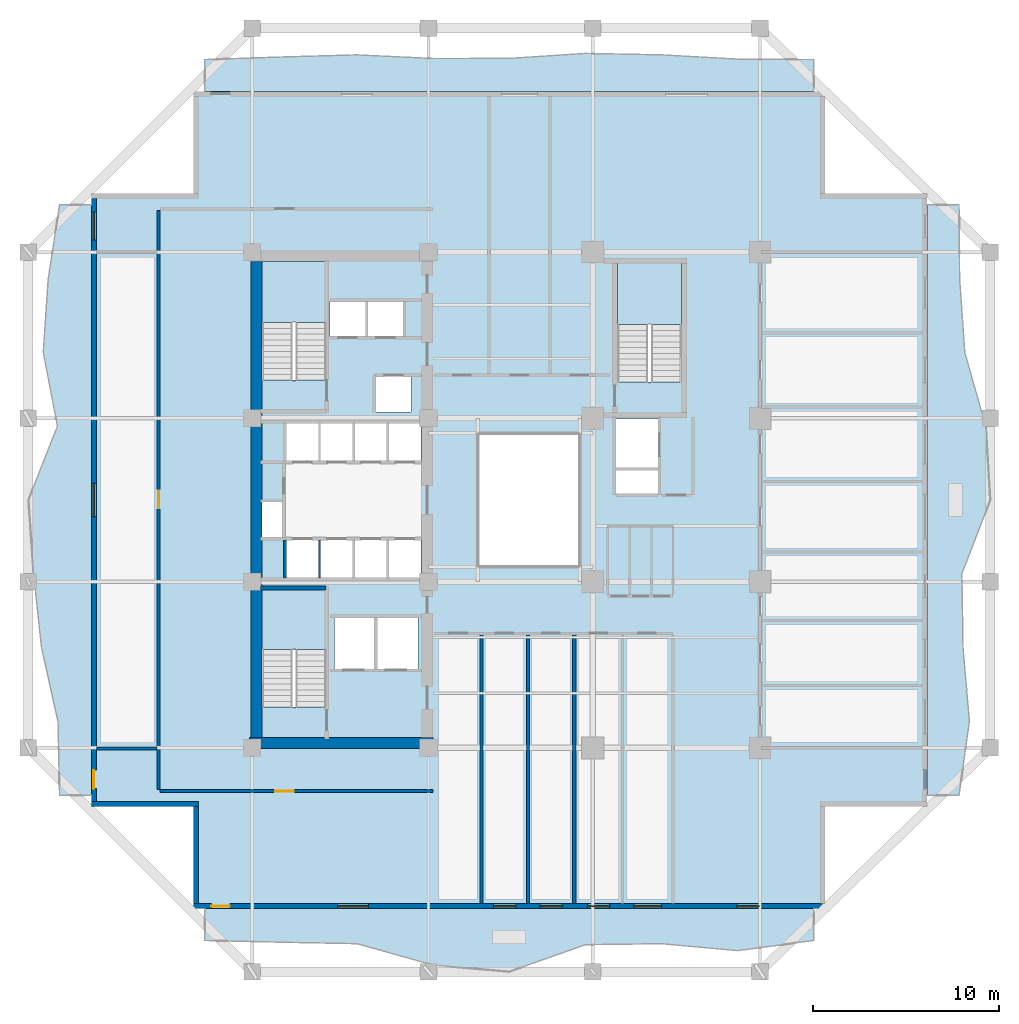
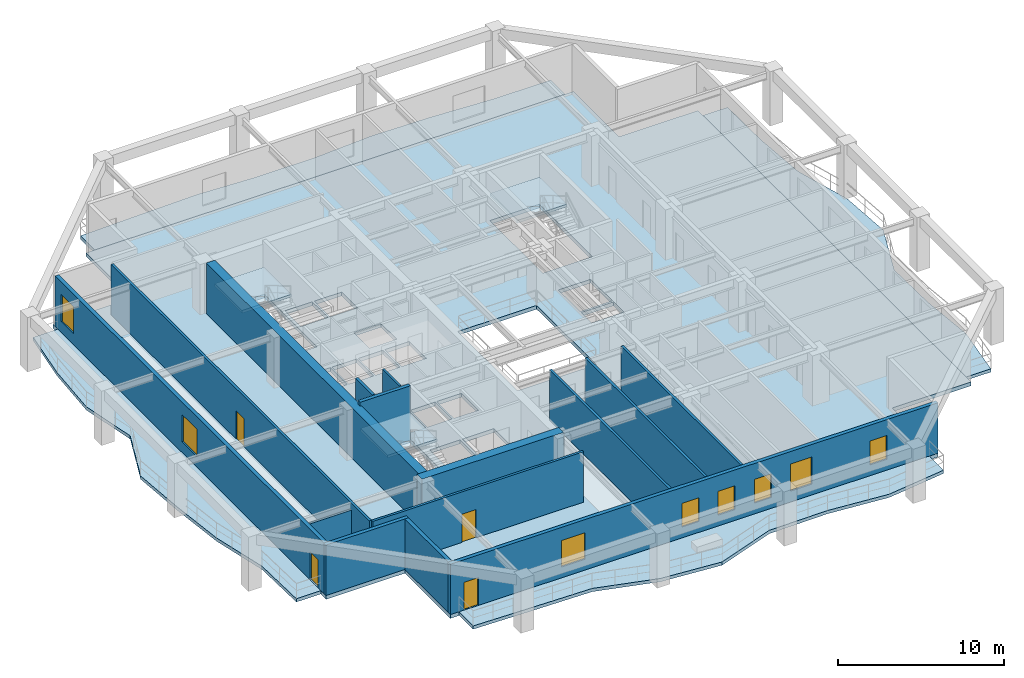
# One storey, part 2 of 13: 15 walls, 8 slabs, 8 windows, 4 doors, 12 openings, 3 elements without a shape of their own.
"""IFC4 building model written with IfcOpenShell, lengths in metres."""

from ifc_helpers import new_model, si_unit, direction, frame, frame_2d, origin, place, context, subcontext, project, spatial, polyline, rectangle, outline, extrude, material, layer, layer_set, type_object, element, fill, aggregate, save


model = new_model("IFC4")

# Units and contexts
model_context = context("Model", 3, precision=1e-05, world=origin(), true_north=direction((0.0, 1.0)))
body_context = subcontext(model_context, "Body", "Model", "MODEL_VIEW")
ifc_project = project(units=[si_unit("LENGTHUNIT", "METRE"), si_unit("AREAUNIT", "SQUARE_METRE"), si_unit("VOLUMEUNIT", "CUBIC_METRE"), si_unit("PLANEANGLEUNIT", "RADIAN"), si_unit("MASSUNIT", "GRAM", prefix="KILO")], contexts=[model_context])

# Site, building, storey
site_placement = place(None, origin())
site = spatial("IfcSite", under=ifc_project, at=site_placement, CompositionType="ELEMENT")
building_placement = place(site_placement, origin())
building = spatial("IfcBuilding", under=site, at=building_placement, Name="Kundavana Baori Tower", CompositionType="ELEMENT")
storey_placement = place(building_placement, frame((0.0, 0.0, 66.0)))
storey = spatial("IfcBuildingStorey", under=building, at=storey_placement, Name="L15", CompositionType="ELEMENT", Elevation=66.0)

# Slab
ifc_material_1 = material(Name="Concrete C40/50", Category="concrete")
ifc_layer_1 = layer(ifc_material_1, 0.280029296875, Name="SLB-FLR-280")
ifc_layer_set_1 = layer_set([ifc_layer_1], Name="Concrete C40/50")
slab_type_1 = type_object("IfcSlabType", Name="SLB-FLR-280", PredefinedType="FLOOR", material=ifc_layer_set_1)
slab_1_placement = place(storey_placement, frame((0.0, 0.0, -0.280029296875)))
element("IfcSlab", 1, at=slab_1_placement, inside=storey, type_object=slab_type_1, Name="L15 Structural Floor Slab", PredefinedType="FLOOR", context=body_context, shape_type="SweptSolid", body=[
    extrude(outline(polyline([(12.300048828125, 6.60009765625), (46.300048828125, 6.60009765625), (46.300048828125, 12.10009765625), (51.800048828125, 12.10009765625), (51.800048828125, 45.10009765625), (46.300048828125, 45.10009765625), (46.300048828125, 50.60009765625), (12.300048828125, 50.60009765625), (12.300048828125, 45.10009765625), (6.800048828125, 45.10009765625), (6.800048828125, 12.10009765625), (12.300048828125, 12.10009765625), (12.300048828125, 6.60009765625)]), holes=[polyline([(19.43994140625, 17.4619140625), (19.43994140625, 23.85009765625), (15.97998046875, 23.85009765625), (15.97998046875, 17.4619140625), (19.43994140625, 17.4619140625)]), polyline([(19.43994140625, 35.06201171875), (19.43994140625, 41.449951171875), (15.97998046875, 41.449951171875), (15.97998046875, 35.06201171875), (19.43994140625, 35.06201171875)]), polyline([(38.580078125, 34.9619140625), (38.580078125, 41.35009765625), (35.1201171875, 41.35009765625), (35.1201171875, 34.9619140625), (38.580078125, 34.9619140625)]), polyline([(17.300048828125, 24.39990234375), (19.02001953125, 24.39990234375), (19.02001953125, 26.449951171875), (17.300048828125, 26.449951171875), (17.300048828125, 24.39990234375)]), polyline([(19.139892578125, 24.39990234375), (20.860107421875, 24.39990234375), (20.860107421875, 26.449951171875), (19.139892578125, 26.449951171875), (19.139892578125, 24.39990234375)]), polyline([(20.97998046875, 24.39990234375), (22.699951171875, 24.39990234375), (22.699951171875, 26.449951171875), (20.97998046875, 26.449951171875), (20.97998046875, 24.39990234375)]), polyline([(22.820068359375, 24.39990234375), (24.5400390625, 24.39990234375), (24.5400390625, 26.449951171875), (22.820068359375, 26.449951171875), (22.820068359375, 24.39990234375)]), polyline([(17.300048828125, 30.699951171875), (19.02001953125, 30.699951171875), (19.02001953125, 32.75), (17.300048828125, 32.75), (17.300048828125, 30.699951171875)]), polyline([(19.139892578125, 30.699951171875), (20.860107421875, 30.699951171875), (20.860107421875, 32.75), (19.139892578125, 32.75), (19.139892578125, 30.699951171875)]), polyline([(20.97998046875, 30.699951171875), (22.699951171875, 30.699951171875), (22.699951171875, 32.75), (20.97998046875, 32.75), (20.97998046875, 30.699951171875)]), polyline([(22.820068359375, 30.699951171875), (24.5400390625, 30.699951171875), (24.5400390625, 32.75), (22.820068359375, 32.75), (22.820068359375, 30.699951171875)]), polyline([(19.64990234375, 37.39990234375), (21.550048828125, 37.39990234375), (21.550048828125, 39.300048828125), (19.64990234375, 39.300048828125), (19.64990234375, 37.39990234375)]), polyline([(21.699951171875, 37.39990234375), (23.60009765625, 37.39990234375), (23.60009765625, 39.300048828125), (21.699951171875, 39.300048828125), (21.699951171875, 37.39990234375)]), polyline([(22.10009765625, 33.35009765625), (24.0, 33.35009765625), (24.0, 35.25), (22.10009765625, 35.25), (22.10009765625, 33.35009765625)]), polyline([(19.8798828125, 19.5), (22.02001953125, 19.5), (22.02001953125, 22.25), (19.8798828125, 22.25), (19.8798828125, 19.5)]), polyline([(22.179931640625, 19.5), (24.3798828125, 19.5), (24.3798828125, 22.25), (22.179931640625, 22.25), (22.179931640625, 19.5)]), polyline([(35.050048828125, 30.35009765625), (37.300048828125, 30.35009765625), (37.300048828125, 32.949951171875), (35.050048828125, 32.949951171875), (35.050048828125, 30.35009765625)]), polyline([(15.949951171875, 26.60009765625), (17.080078125, 26.60009765625), (17.080078125, 28.5), (15.949951171875, 28.5), (15.949951171875, 26.60009765625)]), polyline([(35.050048828125, 28.949951171875), (37.300048828125, 28.949951171875), (37.300048828125, 30.199951171875), (35.050048828125, 30.199951171875), (35.050048828125, 28.949951171875)]), polyline([(27.60009765625, 25.0), (33.10009765625, 25.0), (33.10009765625, 32.199951171875), (27.60009765625, 32.199951171875), (27.60009765625, 25.0)])]), origin(), (0.0, 0.0, 1.0), 0.280029296875),
])

# Stair, slab
ifc_material_2 = material(Name="Concrete C40/50", Category="concrete")
stair_type = type_object("IfcStairType", Name="STR-DOG-1650", PredefinedType="HALF_TURN_STAIR", material=ifc_material_2)
stair_1_placement = place(storey_placement, origin())
stair_1 = element("IfcStair", 2, at=stair_1_placement, inside=storey, type_object=stair_type, Name="L15 Protected Exit Stair ST1", PredefinedType="HALF_TURN_STAIR")
ifc_material_3 = material(Name="Concrete C40/50", Category="concrete")
ifc_layer_2 = layer(ifc_material_3, 0.199951171875, Name="SLB-LND-200")
ifc_layer_set_2 = layer_set([ifc_layer_2], Name="Concrete C40/50")
slab_type_2 = type_object("IfcSlabType", Name="SLB-LND-200", PredefinedType="LANDING", material=ifc_layer_set_2)
slab_2_placement = place(storey_placement, frame((0.0, 0.0, 1.800048828125)))
slab_2 = element("IfcSlab", 3, at=slab_2_placement, type_object=slab_type_2, Name="ST1 landing 1", PredefinedType="LANDING", context=body_context, shape_type="SweptSolid", body=[
    extrude(outline(polyline([(19.43994140625, 20.550048828125), (19.43994140625, 23.85009765625), (15.97998046875, 23.85009765625), (15.97998046875, 20.550048828125), (19.43994140625, 20.550048828125)])), origin(), (0.0, 0.0, 1.0), 0.199951171875),
])
aggregate(stair_1, [slab_2])

stair_2_placement = place(storey_placement, origin())
stair_2 = element("IfcStair", 4, at=stair_2_placement, inside=storey, type_object=stair_type, Name="L15 Protected Exit Stair ST2", PredefinedType="HALF_TURN_STAIR")
slab_3_placement = place(storey_placement, frame((0.0, 0.0, 1.800048828125)))
slab_3 = element("IfcSlab", 5, at=slab_3_placement, type_object=slab_type_2, Name="ST2 landing 1", PredefinedType="LANDING", context=body_context, shape_type="SweptSolid", body=[
    extrude(outline(polyline([(19.43994140625, 38.14990234375), (19.43994140625, 41.449951171875), (15.97998046875, 41.449951171875), (15.97998046875, 38.14990234375), (19.43994140625, 38.14990234375)])), origin(), (0.0, 0.0, 1.0), 0.199951171875),
])
aggregate(stair_2, [slab_3])

stair_3_placement = place(storey_placement, origin())
stair_3 = element("IfcStair", 6, at=stair_3_placement, inside=storey, type_object=stair_type, Name="L15 Protected Exit Stair ST3", PredefinedType="HALF_TURN_STAIR")
slab_4_placement = place(storey_placement, frame((0.0, 0.0, 1.800048828125)))
slab_4 = element("IfcSlab", 7, at=slab_4_placement, type_object=slab_type_2, Name="ST3 landing 1", PredefinedType="LANDING", context=body_context, shape_type="SweptSolid", body=[
    extrude(outline(polyline([(38.580078125, 38.050048828125), (38.580078125, 41.35009765625), (35.1201171875, 41.35009765625), (35.1201171875, 38.050048828125), (38.580078125, 38.050048828125)])), origin(), (0.0, 0.0, 1.0), 0.199951171875),
])
aggregate(stair_3, [slab_4])

# Slabs
ifc_material_4 = material(Name="Concrete C40/50", Category="concrete")
ifc_layer_3 = layer(ifc_material_4, 0.239990234375, Name="SLB-LOG-240")
ifc_layer_set_3 = layer_set([ifc_layer_3], Name="Concrete C40/50")
slab_type_3 = type_object("IfcSlabType", Name="SLB-LOG-240", PredefinedType="FLOOR", material=ifc_layer_set_3)
slab_5_placement = place(storey_placement, frame((0.0, 0.0, -0.239990234375)))
element("IfcSlab", 8, at=slab_5_placement, inside=storey, type_object=slab_type_3, Name="L15 Planted Loggia Balcony Slab S", PredefinedType="FLOOR", context=body_context, shape_type="SweptSolid", body=[
    extrude(outline(polyline([(12.89990234375, 6.60009765625), (45.699951171875, 6.60009765625), (45.699951171875, 4.8798828125), (41.60009765625, 4.3310546875), (37.5, 4.7060546875), (33.39990234375, 4.653076171875), (29.300048828125, 3.199951171875), (25.199951171875, 3.554931640625), (21.10009765625, 4.7060546875), (17.0, 4.785888671875), (12.89990234375, 4.8798828125), (12.89990234375, 6.60009765625)])), origin(), (0.0, 0.0, 1.0), 0.239990234375),
])
slab_6_placement = place(storey_placement, frame((0.0, 0.0, -0.239990234375)))
element("IfcSlab", 9, at=slab_6_placement, inside=storey, type_object=slab_type_3, Name="L15 Planted Loggia Balcony Slab E", PredefinedType="FLOOR", context=body_context, shape_type="SweptSolid", body=[
    extrude(outline(polyline([(51.800048828125, 12.699951171875), (51.800048828125, 44.5), (53.52001953125, 44.5), (53.552001953125, 40.52490234375), (53.830078125, 36.550048828125), (54.958984375, 32.574951171875), (55.199951171875, 28.60009765625), (53.674072265625, 24.625), (53.736083984375, 20.64990234375), (54.0791015625, 16.675048828125), (53.52001953125, 12.699951171875), (51.800048828125, 12.699951171875)])), origin(), (0.0, 0.0, 1.0), 0.239990234375),
])
slab_7_placement = place(storey_placement, frame((0.0, 0.0, -0.239990234375)))
element("IfcSlab", 10, at=slab_7_placement, inside=storey, type_object=slab_type_3, Name="L15 Planted Loggia Balcony Slab N", PredefinedType="FLOOR", context=body_context, shape_type="SweptSolid", body=[
    extrude(outline(polyline([(45.699951171875, 50.60009765625), (12.89990234375, 50.60009765625), (12.89990234375, 52.320068359375), (17.0, 52.45703125), (21.10009765625, 52.572998046875), (25.199951171875, 52.376953125), (29.300048828125, 52.382080078125), (33.39990234375, 52.65087890625), (37.5, 52.572998046875), (41.60009765625, 52.343994140625), (45.699951171875, 52.320068359375), (45.699951171875, 50.60009765625)])), origin(), (0.0, 0.0, 1.0), 0.239990234375),
])
slab_8_placement = place(storey_placement, frame((0.0, 0.0, -0.239990234375)))
element("IfcSlab", 11, at=slab_8_placement, inside=storey, type_object=slab_type_3, Name="L15 Planted Loggia Balcony Slab W", PredefinedType="FLOOR", context=body_context, shape_type="SweptSolid", body=[
    extrude(outline(polyline([(6.800048828125, 44.5), (6.800048828125, 12.699951171875), (5.080078125, 12.699951171875), (4.99609375, 16.675048828125), (4.10791015625, 20.64990234375), (3.681884765625, 24.625), (3.39990234375, 28.60009765625), (4.967041015625, 32.574951171875), (4.201904296875, 36.550048828125), (4.468994140625, 40.52490234375), (5.080078125, 44.5), (6.800048828125, 44.5)])), origin(), (0.0, 0.0, 1.0), 0.239990234375),
])

# Walls
ifc_material_5 = material(Name="Concrete C50/60", Category="concrete")
ifc_layer_4 = layer(ifc_material_5, 0.39990234375, Name="WL-CORE-400")
ifc_layer_set_4 = layer_set([ifc_layer_4], Name="Concrete C50/60")
wall_type_1 = type_object("IfcWallType", Name="WL-CORE-400", PredefinedType="SHEAR", material=ifc_layer_set_4)
wall_1_placement = place(storey_placement, frame((15.89990234375, 23.860107421875, 0.0), z_axis=(0.0, 0.0, 1.0), x_axis=(1.0, 0.0, 0.0)))
element("IfcWall", 12, at=wall_1_placement, inside=storey, type_object=wall_type_1, Name="WL-L15-ST1-N", PredefinedType="SHEAR", context=body_context, shape_type="SweptSolid", body=[
    extrude(rectangle(XDim=3.52001953125, YDim=0.239990234375, at=frame_2d((1.760009765625, 0.0))), origin(), (0.0, 0.0, 1.0), 4.0),
])
ifc_material_6 = material(Name="Concrete C60/75", Category="concrete")
ifc_layer_5 = layer(ifc_material_6, 0.60009765625, Name="WL-CORE-600")
ifc_layer_set_5 = layer_set([ifc_layer_5], Name="Concrete C60/75")
wall_type_2 = type_object("IfcWallType", Name="WL-CORE-600", PredefinedType="SHEAR", material=ifc_layer_set_5)
wall_2_placement = place(storey_placement, frame((15.300048828125, 15.510009765625, 0.0), z_axis=(0.0, 0.0, 1.0), x_axis=(1.0, 0.0, 0.0)))
element("IfcWall", 13, at=wall_2_placement, inside=storey, type_object=wall_type_2, Name="L15 Offset Core South Shear Wall", PredefinedType="SHEAR", context=body_context, shape_type="SweptSolid", body=[
    extrude(rectangle(XDim=9.8798828125, YDim=0.60009765625, at=frame_2d((4.93994140625, 0.0))), origin(), (0.0, 0.0, 1.0), 3.719970703125),
])
wall_3_placement = place(storey_placement, frame((15.68994140625, 15.81005859375, 0.0), z_axis=(0.0, 0.0, 1.0), x_axis=(0.0, 1.0, 0.0)))
element("IfcWall", 14, at=wall_3_placement, inside=storey, type_object=wall_type_2, Name="L15 Offset Core West Shear Wall", PredefinedType="SHEAR", context=body_context, shape_type="SweptSolid", body=[
    extrude(rectangle(XDim=25.6298828125, YDim=0.60009765625, at=frame_2d((12.81494140625, 0.0))), origin(), (0.0, 0.0, 1.0), 3.719970703125),
])

# Wall, openings, door, windows
ifc_material_7 = material(Name="Kiln-Fired Terracotta Brick-Slip Masonry on Concrete C40/50", Category="masonry")
ifc_layer_6 = layer(ifc_material_7, 0.260009765625, Name="WL-EXT-BRK-260")
ifc_layer_set_6 = layer_set([ifc_layer_6], Name="Kiln-Fired Terracotta Brick-Slip Masonry on Concrete C40/50")
wall_type_3 = type_object("IfcWallType", Name="WL-EXT-BRK-260", PredefinedType="SOLIDWALL", material=ifc_layer_set_6)
wall_4_placement = place(storey_placement, frame((12.300048828125, 6.72998046875, 0.0), z_axis=(0.0, 0.0, 1.0), x_axis=(1.0, 0.0, 0.0)))
wall_4 = element("IfcWall", 15, at=wall_4_placement, inside=storey, type_object=wall_type_3, Name="L15 Exterior Insulated Facade Wall 01", PredefinedType="SOLIDWALL", context=body_context, shape_type="SweptSolid", body=[
    extrude(rectangle(XDim=34.0, YDim=0.260009765625, at=frame_2d((17.0, 0.0))), origin(), (0.0, 0.0, 1.0), 3.719970703125),
])
opening_1_placement = place(wall_4_placement, frame((0.949951171875, 0.0, 0.0)))
opening_1 = element("IfcOpeningElement", 16, at=opening_1_placement, cuts=wall_4, Name="Opening BD-1", PredefinedType="OPENING", context=body_context, shape_type="SweptSolid", body=[
    extrude(rectangle(XDim=1.0, YDim=2.050048828125, at=frame_2d((0.5, 1.02490234375))), frame((0.0, 0.14013671875, 0.0), z_axis=(0.0, -1.0, 0.0), x_axis=(1.0, 0.0, 0.0)), (0.0, 0.0, 1.0), 0.280029296875),
])
opening_2_placement = place(wall_4_placement, frame((7.7548828125, 0.0, 0.800048828125)))
opening_2 = element("IfcOpeningElement", 17, at=opening_2_placement, cuts=wall_4, Name="Opening W-08", PredefinedType="OPENING", context=body_context, shape_type="SweptSolid", body=[
    extrude(rectangle(XDim=1.64990234375, YDim=1.949951171875, at=frame_2d((0.824951171875, 0.97509765625))), frame((0.0, 0.14013671875, 0.0), z_axis=(0.0, -1.0, 0.0), x_axis=(1.0, 0.0, 0.0)), (0.0, 0.0, 1.0), 0.280029296875),
])
opening_3_placement = place(wall_4_placement, frame((16.14990234375, 0.0, 0.800048828125)))
opening_3 = element("IfcOpeningElement", 18, at=opening_3_placement, cuts=wall_4, Name="Opening W-03", PredefinedType="OPENING", context=body_context, shape_type="SweptSolid", body=[
    extrude(rectangle(XDim=1.199951171875, YDim=1.75, at=frame_2d((0.60009765625, 0.875))), frame((0.0, 0.14013671875, 0.0), z_axis=(0.0, -1.0, 0.0), x_axis=(1.0, 0.0, 0.0)), (0.0, 0.0, 1.0), 0.280029296875),
])
opening_4_placement = place(wall_4_placement, frame((18.64990234375, 0.0, 0.800048828125)))
opening_4 = element("IfcOpeningElement", 19, at=opening_4_placement, cuts=wall_4, Name="Opening W-03", PredefinedType="OPENING", context=body_context, shape_type="SweptSolid", body=[
    extrude(rectangle(XDim=1.199951171875, YDim=1.75, at=frame_2d((0.60009765625, 0.875))), frame((0.0, 0.14013671875, 0.0), z_axis=(0.0, -1.0, 0.0), x_axis=(1.0, 0.0, 0.0)), (0.0, 0.0, 1.0), 0.280029296875),
])
opening_5_placement = place(wall_4_placement, frame((21.199951171875, 0.0, 0.800048828125)))
opening_5 = element("IfcOpeningElement", 20, at=opening_5_placement, cuts=wall_4, Name="Opening W-03", PredefinedType="OPENING", context=body_context, shape_type="SweptSolid", body=[
    extrude(rectangle(XDim=1.199951171875, YDim=1.75, at=frame_2d((0.60009765625, 0.875))), frame((0.0, 0.14013671875, 0.0), z_axis=(0.0, -1.0, 0.0), x_axis=(1.0, 0.0, 0.0)), (0.0, 0.0, 1.0), 0.280029296875),
])
opening_6_placement = place(wall_4_placement, frame((23.7099609375, 0.0, 0.800048828125)))
opening_6 = element("IfcOpeningElement", 21, at=opening_6_placement, cuts=wall_4, Name="Opening W-02", PredefinedType="OPENING", context=body_context, shape_type="SweptSolid", body=[
    extrude(rectangle(XDim=1.5, YDim=2.0, at=frame_2d((0.75, 1.0))), frame((0.0, 0.14013671875, 0.0), z_axis=(0.0, -1.0, 0.0), x_axis=(1.0, 0.0, 0.0)), (0.0, 0.0, 1.0), 0.280029296875),
])
opening_7_placement = place(wall_4_placement, frame((29.2548828125, 0.0, 0.800048828125)))
opening_7 = element("IfcOpeningElement", 22, at=opening_7_placement, cuts=wall_4, Name="Opening W-03", PredefinedType="OPENING", context=body_context, shape_type="SweptSolid", body=[
    extrude(rectangle(XDim=1.199951171875, YDim=1.75, at=frame_2d((0.60009765625, 0.875))), frame((0.0, 0.14013671875, 0.0), z_axis=(0.0, -1.0, 0.0), x_axis=(1.0, 0.0, 0.0)), (0.0, 0.0, 1.0), 0.280029296875),
])
ifc_material_8 = material(Name="Architectural Patinated Bronze Metalwork")
door_type_1 = type_object("IfcDoorType", Name="DR-EXT-LOG-1000", OperationType="NOTDEFINED", PredefinedType="DOOR", material=ifc_material_8)
door_1_placement = place(opening_1_placement, frame((1.0, 0.0, 0.0), z_axis=(0.0, 0.0, 1.0), x_axis=(-1.0, 0.0, 0.0)))
door_1 = element("IfcDoor", 23, at=door_1_placement, inside=storey, type_object=door_type_1, Name="L15 Loggia Balcony Access Door S", OperationType="SINGLE_SWING_LEFT", OverallHeight=2.050048828125, OverallWidth=1.0, PredefinedType="DOOR", context=body_context, shape_type="SweptSolid", body=[
    extrude(rectangle(XDim=1.0, YDim=2.050048828125, at=frame_2d((0.5, 1.02490234375))), frame((0.0, 0.02490234375, 0.0), z_axis=(0.0, -1.0, 0.0), x_axis=(1.0, 0.0, 0.0)), (0.0, 0.0, 1.0), 0.050048828125),
])
fill(opening_1, door_1)
ifc_material_9 = material(Name="Double-Glazed Solar-Control Low-E Insulated Glass", Category="glass")
window_type_1 = type_object("IfcWindowType", Name="WIN-LOG-1200x1750", PartitioningType="SINGLE_PANEL", PredefinedType="WINDOW", material=ifc_material_9)
window_1_placement = place(opening_3_placement, origin())
window_1 = element("IfcWindow", 24, at=window_1_placement, inside=storey, type_object=window_type_1, Name="L15 Recessed Loggia Window S-2", OverallHeight=1.75, OverallWidth=1.199951171875, PartitioningType="SINGLE_PANEL", PredefinedType="WINDOW", context=body_context, shape_type="SweptSolid", body=[
    extrude(rectangle(XDim=1.199951171875, YDim=1.75, at=frame_2d((0.60009765625, 0.875))), frame((0.0, 0.030029296875, 0.0), z_axis=(0.0, -1.0, 0.0), x_axis=(1.0, 0.0, 0.0)), (0.0, 0.0, 1.0), 0.06005859375),
])
fill(opening_3, window_1)
window_2_placement = place(opening_4_placement, origin())
window_2 = element("IfcWindow", 25, at=window_2_placement, inside=storey, type_object=window_type_1, Name="L15 Recessed Loggia Window S-3", OverallHeight=1.75, OverallWidth=1.199951171875, PartitioningType="SINGLE_PANEL", PredefinedType="WINDOW", context=body_context, shape_type="SweptSolid", body=[
    extrude(rectangle(XDim=1.199951171875, YDim=1.75, at=frame_2d((0.60009765625, 0.875))), frame((0.0, 0.030029296875, 0.0), z_axis=(0.0, -1.0, 0.0), x_axis=(1.0, 0.0, 0.0)), (0.0, 0.0, 1.0), 0.06005859375),
])
fill(opening_4, window_2)
window_3_placement = place(opening_5_placement, origin())
window_3 = element("IfcWindow", 26, at=window_3_placement, inside=storey, type_object=window_type_1, Name="L15 Recessed Loggia Window S-4", OverallHeight=1.75, OverallWidth=1.199951171875, PartitioningType="SINGLE_PANEL", PredefinedType="WINDOW", context=body_context, shape_type="SweptSolid", body=[
    extrude(rectangle(XDim=1.199951171875, YDim=1.75, at=frame_2d((0.60009765625, 0.875))), frame((0.0, 0.030029296875, 0.0), z_axis=(0.0, -1.0, 0.0), x_axis=(1.0, 0.0, 0.0)), (0.0, 0.0, 1.0), 0.06005859375),
])
fill(opening_5, window_3)
window_4_placement = place(opening_7_placement, origin())
window_4 = element("IfcWindow", 27, at=window_4_placement, inside=storey, type_object=window_type_1, Name="L15 Recessed Loggia Window S-6", OverallHeight=1.75, OverallWidth=1.199951171875, PartitioningType="SINGLE_PANEL", PredefinedType="WINDOW", context=body_context, shape_type="SweptSolid", body=[
    extrude(rectangle(XDim=1.199951171875, YDim=1.75, at=frame_2d((0.60009765625, 0.875))), frame((0.0, 0.030029296875, 0.0), z_axis=(0.0, -1.0, 0.0), x_axis=(1.0, 0.0, 0.0)), (0.0, 0.0, 1.0), 0.06005859375),
])
fill(opening_7, window_4)
ifc_material_10 = material(Name="Double-Glazed Solar-Control Low-E Insulated Glass", Category="glass")
window_type_2 = type_object("IfcWindowType", Name="WIN-LOG-1500x2000", PartitioningType="SINGLE_PANEL", PredefinedType="WINDOW", material=ifc_material_10)
window_5_placement = place(opening_6_placement, origin())
window_5 = element("IfcWindow", 28, at=window_5_placement, inside=storey, type_object=window_type_2, Name="L15 Recessed Loggia Window S-5", OverallHeight=2.0, OverallWidth=1.5, PartitioningType="SINGLE_PANEL", PredefinedType="WINDOW", context=body_context, shape_type="SweptSolid", body=[
    extrude(rectangle(XDim=1.5, YDim=2.0, at=frame_2d((0.75, 1.0))), frame((0.0, 0.030029296875, 0.0), z_axis=(0.0, -1.0, 0.0), x_axis=(1.0, 0.0, 0.0)), (0.0, 0.0, 1.0), 0.06005859375),
])
fill(opening_6, window_5)
ifc_material_11 = material(Name="Double-Glazed Solar-Control Low-E Insulated Glass", Category="glass")
window_type_3 = type_object("IfcWindowType", Name="WIN-LOG-1650x1950", PartitioningType="SINGLE_PANEL", PredefinedType="WINDOW", material=ifc_material_11)
window_6_placement = place(opening_2_placement, origin())
window_6 = element("IfcWindow", 29, at=window_6_placement, inside=storey, type_object=window_type_3, Name="L15 Recessed Loggia Window S-1", OverallHeight=1.949951171875, OverallWidth=1.64990234375, PartitioningType="SINGLE_PANEL", PredefinedType="WINDOW", context=body_context, shape_type="SweptSolid", body=[
    extrude(rectangle(XDim=1.64990234375, YDim=1.949951171875, at=frame_2d((0.824951171875, 0.97509765625))), frame((0.0, 0.030029296875, 0.0), z_axis=(0.0, -1.0, 0.0), x_axis=(1.0, 0.0, 0.0)), (0.0, 0.0, 1.0), 0.06005859375),
])
fill(opening_2, window_6)

wall_5_placement = place(storey_placement, frame((6.929931640625, 44.840087890625, 0.0), z_axis=(0.0, 0.0, 1.0), x_axis=(0.0, -1.0, 0.0)))
wall_5 = element("IfcWall", 30, at=wall_5_placement, inside=storey, type_object=wall_type_3, Name="L15 Exterior Insulated Facade Wall 10", PredefinedType="SOLIDWALL", context=body_context, shape_type="SweptSolid", body=[
    extrude(rectangle(XDim=32.47998046875, YDim=0.260009765625, at=frame_2d((16.239990234375, 0.0))), origin(), (0.0, 0.0, 1.0), 3.719970703125),
])
opening_8_placement = place(wall_5_placement, frame((30.7900390625, 0.0, 0.0)))
opening_8 = element("IfcOpeningElement", 31, at=opening_8_placement, cuts=wall_5, Name="Opening BD-1", PredefinedType="OPENING", context=body_context, shape_type="SweptSolid", body=[
    extrude(rectangle(XDim=1.0, YDim=2.050048828125, at=frame_2d((0.5, 1.02490234375))), frame((0.0, 0.14013671875, 0.0), z_axis=(0.0, -1.0, 0.0), x_axis=(1.0, 0.0, 0.0)), (0.0, 0.0, 1.0), 0.280029296875),
])
opening_9_placement = place(wall_5_placement, frame((15.340087890625, 0.0, 0.800048828125)))
opening_9 = element("IfcOpeningElement", 32, at=opening_9_placement, cuts=wall_5, Name="Opening W-01", PredefinedType="OPENING", context=body_context, shape_type="SweptSolid", body=[
    extrude(rectangle(XDim=1.800048828125, YDim=2.0, at=frame_2d((0.89990234375, 1.0))), frame((0.0, 0.14013671875, 0.0), z_axis=(0.0, -1.0, 0.0), x_axis=(1.0, 0.0, 0.0)), (0.0, 0.0, 1.0), 0.280029296875),
])
opening_10_placement = place(wall_5_placement, frame((0.735107421875, 0.0, 0.800048828125)))
opening_10 = element("IfcOpeningElement", 33, at=opening_10_placement, cuts=wall_5, Name="Opening W-02", PredefinedType="OPENING", context=body_context, shape_type="SweptSolid", body=[
    extrude(rectangle(XDim=1.5, YDim=2.0, at=frame_2d((0.75, 1.0))), frame((0.0, 0.14013671875, 0.0), z_axis=(0.0, -1.0, 0.0), x_axis=(1.0, 0.0, 0.0)), (0.0, 0.0, 1.0), 0.280029296875),
])
door_2_placement = place(opening_8_placement, frame((1.0, 0.0, 0.0), z_axis=(0.0, 0.0, 1.0), x_axis=(-1.0, 0.0, 0.0)))
door_2 = element("IfcDoor", 34, at=door_2_placement, inside=storey, type_object=door_type_1, Name="L15 Loggia Balcony Access Door W", OperationType="SINGLE_SWING_RIGHT", OverallHeight=2.050048828125, OverallWidth=1.0, PredefinedType="DOOR", context=body_context, shape_type="SweptSolid", body=[
    extrude(rectangle(XDim=1.0, YDim=2.050048828125, at=frame_2d((0.5, 1.02490234375))), frame((0.0, 0.02490234375, 0.0), z_axis=(0.0, -1.0, 0.0), x_axis=(1.0, 0.0, 0.0)), (0.0, 0.0, 1.0), 0.050048828125),
])
fill(opening_8, door_2)
window_7_placement = place(opening_10_placement, origin())
window_7 = element("IfcWindow", 35, at=window_7_placement, inside=storey, type_object=window_type_2, Name="L15 Recessed Loggia Window W-3", OverallHeight=2.0, OverallWidth=1.5, PartitioningType="SINGLE_PANEL", PredefinedType="WINDOW", context=body_context, shape_type="SweptSolid", body=[
    extrude(rectangle(XDim=1.5, YDim=2.0, at=frame_2d((0.75, 1.0))), frame((0.0, 0.030029296875, 0.0), z_axis=(0.0, -1.0, 0.0), x_axis=(1.0, 0.0, 0.0)), (0.0, 0.0, 1.0), 0.06005859375),
])
fill(opening_10, window_7)
ifc_material_12 = material(Name="Double-Glazed Solar-Control Low-E Insulated Glass", Category="glass")
window_type_4 = type_object("IfcWindowType", Name="WIN-LOG-1800x2000", PartitioningType="SINGLE_PANEL", PredefinedType="WINDOW", material=ifc_material_12)
window_8_placement = place(opening_9_placement, origin())
window_8 = element("IfcWindow", 36, at=window_8_placement, inside=storey, type_object=window_type_4, Name="L15 Recessed Loggia Window W-2", OverallHeight=2.0, OverallWidth=1.800048828125, PartitioningType="SINGLE_PANEL", PredefinedType="WINDOW", context=body_context, shape_type="SweptSolid", body=[
    extrude(rectangle(XDim=1.800048828125, YDim=2.0, at=frame_2d((0.89990234375, 1.0))), frame((0.0, 0.030029296875, 0.0), z_axis=(0.0, -1.0, 0.0), x_axis=(1.0, 0.0, 0.0)), (0.0, 0.0, 1.0), 0.06005859375),
])
fill(opening_9, window_8)

# Walls
wall_6_placement = place(storey_placement, frame((6.800048828125, 12.22998046875, 0.0), z_axis=(0.0, 0.0, 1.0), x_axis=(1.0, 0.0, 0.0)))
element("IfcWall", 37, at=wall_6_placement, inside=storey, type_object=wall_type_3, Name="L15 Exterior Insulated Facade Wall 11", PredefinedType="SOLIDWALL", context=body_context, shape_type="SweptSolid", body=[
    extrude(rectangle(XDim=5.760009765625, YDim=0.260009765625, at=frame_2d((2.8798828125, 0.0))), origin(), (0.0, 0.0, 1.0), 3.719970703125),
])
wall_7_placement = place(storey_placement, frame((12.429931640625, 12.10009765625, 0.0), z_axis=(0.0, 0.0, 1.0), x_axis=(0.0, -1.0, 0.0)))
element("IfcWall", 38, at=wall_7_placement, inside=storey, type_object=wall_type_3, Name="L15 Exterior Insulated Facade Wall 12", PredefinedType="SOLIDWALL", context=body_context, shape_type="SweptSolid", body=[
    extrude(rectangle(XDim=5.239990234375, YDim=0.260009765625, at=frame_2d((2.6201171875, 0.0))), origin(), (0.0, 0.0, 1.0), 3.719970703125),
])
ifc_material_13 = material(Name="Acoustic Gypsum Plasterboard on Galvanised Steel Studs", Category="steel")
ifc_layer_7 = layer(ifc_material_13, 0.1201171875, Name="WL-PART-120")
ifc_layer_set_7 = layer_set([ifc_layer_7], Name="Acoustic Gypsum Plasterboard on Galvanised Steel Studs")
wall_type_4 = type_object("IfcWallType", Name="WL-PART-120", PredefinedType="PARTITIONING", material=ifc_layer_set_7)
wall_8_placement = place(storey_placement, frame((19.080078125, 24.39990234375, 0.0), z_axis=(0.0, 0.0, 1.0), x_axis=(0.0, 1.0, 0.0)))
element("IfcWall", 39, at=wall_8_placement, inside=storey, type_object=wall_type_4, Name="WL-L15-LPLOW-D1", PredefinedType="PARTITIONING", context=body_context, shape_type="SweptSolid", body=[
    extrude(rectangle(XDim=2.050048828125, YDim=0.1201171875, at=frame_2d((1.02490234375, 0.0))), origin(), (0.0, 0.0, 1.0), 3.719970703125),
])

# Wall, opening, door
ifc_material_14 = material(Name="Fire-Rated Gypsum Drywall on Galvanised Steel Studs", Category="steel")
ifc_layer_8 = layer(ifc_material_14, 0.1650390625, Name="WL-PART-165")
ifc_layer_set_8 = layer_set([ifc_layer_8], Name="Fire-Rated Gypsum Drywall on Galvanised Steel Studs")
wall_type_5 = type_object("IfcWallType", Name="WL-PART-165", PredefinedType="PARTITIONING", material=ifc_layer_set_8)
wall_9_placement = place(storey_placement, frame((10.419921875, 13.0, 0.0), z_axis=(0.0, 0.0, 1.0), x_axis=(0.0, 1.0, 0.0)))
wall_9 = element("IfcWall", 40, at=wall_9_placement, inside=storey, type_object=wall_type_5, Name="WL-L15-OW", PredefinedType="PARTITIONING", context=body_context, shape_type="SweptSolid", body=[
    extrude(rectangle(XDim=31.199951171875, YDim=0.1650390625, at=frame_2d((15.60009765625, 0.0))), origin(), (0.0, 0.0, 1.0), 3.719970703125),
])
opening_11_placement = place(wall_9_placement, frame((15.14990234375, 0.0, 0.0)))
opening_11 = element("IfcOpeningElement", 41, at=opening_11_placement, cuts=wall_9, Name="Opening ID-095", PredefinedType="OPENING", context=body_context, shape_type="SweptSolid", body=[
    extrude(rectangle(XDim=0.949951171875, YDim=2.080078125, at=frame_2d((0.47509765625, 1.0400390625))), frame((0.0, 0.092529296875, 0.0), z_axis=(0.0, -1.0, 0.0), x_axis=(1.0, 0.0, 0.0)), (0.0, 0.0, 1.0), 0.18505859375),
])
ifc_material_15 = material(Name="Engineered Teak Solid-Core Timber Veneer", Category="wood")
door_type_2 = type_object("IfcDoorType", Name="DR-INT-950", OperationType="NOTDEFINED", PredefinedType="DOOR", material=ifc_material_15)
door_3_placement = place(opening_11_placement, frame((0.949951171875, 0.0, 0.0), z_axis=(0.0, 0.0, 1.0), x_axis=(-1.0, 0.0, 0.0)))
door_3 = element("IfcDoor", 42, at=door_3_placement, inside=storey, type_object=door_type_2, Name="DR-L15-OFW1", OperationType="SINGLE_SWING_LEFT", OverallHeight=2.080078125, OverallWidth=0.949951171875, PredefinedType="DOOR", context=body_context, shape_type="SweptSolid", body=[
    extrude(rectangle(XDim=0.949951171875, YDim=2.080078125, at=frame_2d((0.47509765625, 1.0400390625))), frame((0.0, 0.02490234375, 0.0), z_axis=(0.0, -1.0, 0.0), x_axis=(1.0, 0.0, 0.0)), (0.0, 0.0, 1.0), 0.050048828125),
])
fill(opening_11, door_3)

# Wall
wall_10_placement = place(storey_placement, frame((7.080078125, 15.219970703125, 0.0), z_axis=(0.0, 0.0, 1.0), x_axis=(1.0, 0.0, 0.0)))
element("IfcWall", 43, at=wall_10_placement, inside=storey, type_object=wall_type_5, Name="WL-L15-OWS", PredefinedType="PARTITIONING", context=body_context, shape_type="SweptSolid", body=[
    extrude(rectangle(XDim=3.260009765625, YDim=0.1650390625, at=frame_2d((1.6298828125, 0.0))), origin(), (0.0, 0.0, 1.0), 3.219970703125),
])

# Wall, opening, door
wall_11_placement = place(storey_placement, frame((10.5, 12.919921875, 0.0), z_axis=(0.0, 0.0, 1.0), x_axis=(1.0, 0.0, 0.0)))
wall_11 = element("IfcWall", 44, at=wall_11_placement, inside=storey, type_object=wall_type_5, Name="WL-L15-OSC", PredefinedType="PARTITIONING", context=body_context, shape_type="SweptSolid", body=[
    extrude(rectangle(XDim=14.699951171875, YDim=0.1650390625, at=frame_2d((7.35009765625, 0.0))), origin(), (0.0, 0.0, 1.0), 3.719970703125),
])
opening_12_placement = place(wall_11_placement, frame((6.199951171875, 0.0, 0.0)))
opening_12 = element("IfcOpeningElement", 45, at=opening_12_placement, cuts=wall_11, Name="Opening ID-100", PredefinedType="OPENING", context=body_context, shape_type="SweptSolid", body=[
    extrude(rectangle(XDim=1.0, YDim=2.080078125, at=frame_2d((0.5, 1.0400390625))), frame((0.0, 0.092529296875, 0.0), z_axis=(0.0, -1.0, 0.0), x_axis=(1.0, 0.0, 0.0)), (0.0, 0.0, 1.0), 0.18505859375),
])
ifc_material_16 = material(Name="Engineered Teak Solid-Core Timber Veneer", Category="wood")
door_type_3 = type_object("IfcDoorType", Name="DR-INT-1000", OperationType="NOTDEFINED", PredefinedType="DOOR", material=ifc_material_16)
door_4_placement = place(opening_12_placement, frame((1.0, 0.0, 0.0), z_axis=(0.0, 0.0, 1.0), x_axis=(-1.0, 0.0, 0.0)))
door_4 = element("IfcDoor", 46, at=door_4_placement, inside=storey, type_object=door_type_3, Name="DR-L15-OSWC", OperationType="SINGLE_SWING_LEFT", OverallHeight=2.080078125, OverallWidth=1.0, PredefinedType="DOOR", context=body_context, shape_type="SweptSolid", body=[
    extrude(rectangle(XDim=1.0, YDim=2.080078125, at=frame_2d((0.5, 1.0400390625))), frame((0.0, 0.02490234375, 0.0), z_axis=(0.0, -1.0, 0.0), x_axis=(1.0, 0.0, 0.0)), (0.0, 0.0, 1.0), 0.050048828125),
])
fill(opening_12, door_4)

# Walls
for number, where, z_axis, x_axis, name in (
    (47, (27.800048828125, 6.8798828125, 0.0), (0.0, 0.0, 1.0), (0.0, 1.0, 0.0), "WL-L15-SD1"),
    (48, (30.300048828125, 6.8798828125, 0.0), (0.0, 0.0, 1.0), (0.0, 1.0, 0.0), "WL-L15-SD2"),
    (49, (32.800048828125, 6.8798828125, 0.0), (0.0, 0.0, 1.0), (0.0, 1.0, 0.0), "WL-L15-SD3"),
):
    element("IfcWall", number, at=place(storey_placement, frame(where, z_axis=z_axis, x_axis=x_axis)), inside=storey, type_object=wall_type_5, Name=name, PredefinedType="PARTITIONING", context=body_context, shape_type="SweptSolid", body=[
        extrude(rectangle(XDim=14.460205078125, YDim=0.1650390625, at=frame_2d((7.22998046875, 0.0))), origin(), (0.0, 0.0, 1.0), 3.719970703125),
    ])
ifc_material_17 = material(Name="Autoclaved Aerated Concrete Blockwork Masonry", Category="masonry")
ifc_layer_9 = layer(ifc_material_17, 0.179931640625, Name="WL-SHAFT-180")
ifc_layer_set_9 = layer_set([ifc_layer_9], Name="Autoclaved Aerated Concrete Blockwork Masonry")
wall_type_6 = type_object("IfcWallType", Name="WL-SHAFT-180", PredefinedType="SOLIDWALL", material=ifc_layer_set_9)
wall_12_placement = place(storey_placement, frame((17.219970703125, 24.39990234375, 0.0), z_axis=(0.0, 0.0, 1.0), x_axis=(0.0, 1.0, 0.0)))
element("IfcWall", 50, at=wall_12_placement, inside=storey, type_object=wall_type_6, Name="WL-L15-LPLOW-W", PredefinedType="SOLIDWALL", context=body_context, shape_type="SweptSolid", body=[
    extrude(rectangle(XDim=2.050048828125, YDim=0.179931640625, at=frame_2d((1.02490234375, 0.0))), origin(), (0.0, 0.0, 1.0), 3.719970703125),
])

save(model, "model.ifc")
